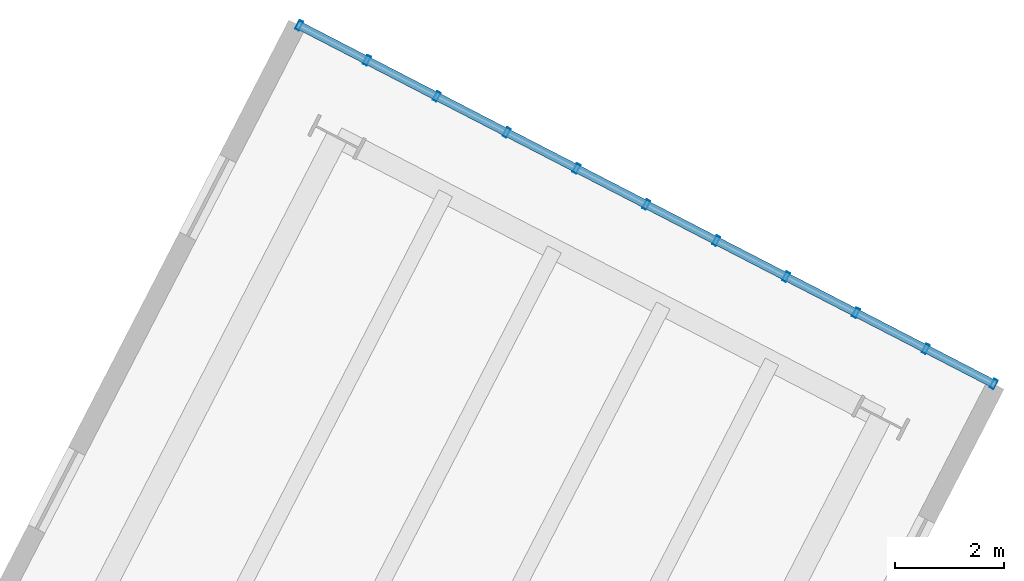
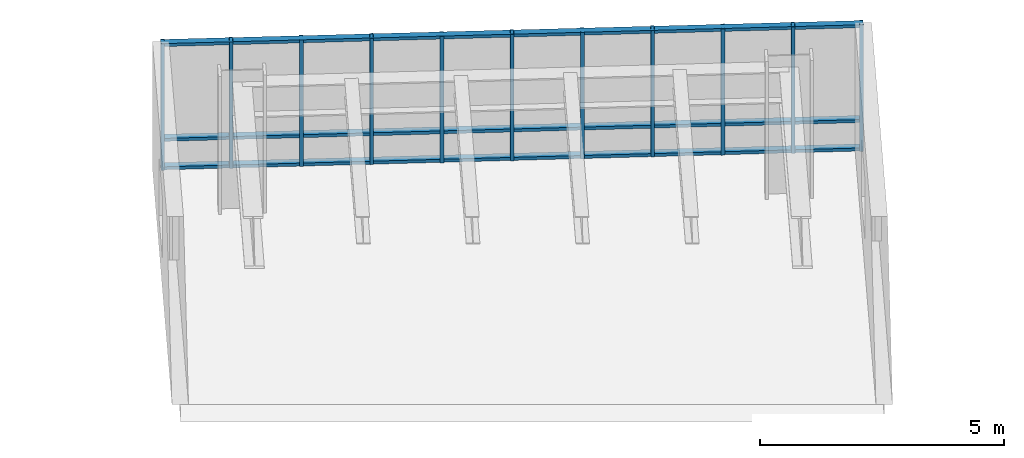
# One storey, part 3 of 10: 14 members, 1 element without a shape of its own.
"""IFC4 building model written with IfcOpenShell, lengths in metres."""

from ifc_helpers import new_model, si_unit, direction, frame, origin, origin_2d, place, context, subcontext, project, spatial, hollow_rectangle, extrude, material, layer, layer_set, material_profile, profile_set, type_object, element, aggregate, save


model = new_model("IFC4")

# Units and contexts
model_context = context("Model", 3, precision=1e-05, world=origin(), true_north=direction((0.0, 1.0)))
body_context = subcontext(model_context, "Body", "Model", "MODEL_VIEW")
ifc_project = project(units=[si_unit("LENGTHUNIT", "METRE"), si_unit("AREAUNIT", "SQUARE_METRE"), si_unit("VOLUMEUNIT", "CUBIC_METRE"), si_unit("PLANEANGLEUNIT", "RADIAN"), si_unit("MASSUNIT", "GRAM", prefix="KILO"), si_unit("THERMODYNAMICTEMPERATUREUNIT", "KELVIN"), si_unit("POWERUNIT", "WATT")], contexts=[model_context])

# Site, building, storey
site_placement = place(None, origin())
site = spatial("IfcSite", under=ifc_project, at=site_placement, CompositionType="ELEMENT")
building_placement = place(site_placement, origin())
building = spatial("IfcBuilding", under=site, at=building_placement, Name="Skarre Station Tower", CompositionType="ELEMENT")
storey_placement = place(building_placement, frame((0.0, 0.0, 111.89990234375)))
storey = spatial("IfcBuildingStorey", under=building, at=storey_placement, Name="L29", CompositionType="ELEMENT", Elevation=111.89990234375)

# Curtain wall, members
ifc_material_1 = material(Name="Thermally Broken Bronze-Anodized Aluminium & Triple Low-E Glass", Category="aluminium")
ifc_layer = layer(ifc_material_1, 0.2099609375, Name="Thermally Broken Bronze-Anodized Aluminium & Triple Low-E Glass")
ifc_layer_set = layer_set([ifc_layer], Name="Thermally Broken Bronze-Anodized Aluminium & Triple Low-E Glass")
curtain_wall_type = type_object("IfcCurtainWallType", Name="Sky-Bar Prow Structural Glazed Curtain Wall", PredefinedType="NOTDEFINED", material=ifc_layer_set)
curtain_wall_placement = place(storey_placement, origin())
curtain_wall = element("IfcCurtainWall", 1, at=curtain_wall_placement, inside=storey, type_object=curtain_wall_type, Name="L29 SB-2 Lakefront Prow Curtain Wall", PredefinedType="NOTDEFINED")
ifc_material_2 = material(Name="Anodized Aluminium 6063-T6", Category="aluminium")
ifc_material_profile_1 = material_profile(ifc_material_2, hollow_rectangle(XDim=0.074951171875, YDim=0.14990234375, WallThickness=0.00390625, at=origin_2d()), Name="Anodized Aluminium 6063-T6")
ifc_profile_set_1 = profile_set([ifc_material_profile_1], Name="Anodized Aluminium 6063-T6")
member_type_1 = type_object("IfcMemberType", Name="Curtain-Wall Secondary Transom 150x75", PredefinedType="USERDEFINED", material=ifc_profile_set_1)
member_1_placement = place(storey_placement, frame((48.833984375, 60.43310546875, 0.0400390625), z_axis=(0.888595468438, -0.458691719427, 0.0), x_axis=(0.0, 0.0, 1.0)))
member_1 = element("IfcMember", 2, at=member_1_placement, type_object=member_type_1, Name="L29 SB-2 Lakefront Prow Curtain Wall Transom 1", ObjectType="TRANSOM", PredefinedType="USERDEFINED", context=body_context, shape_type="SweptSolid", body=[
    extrude(hollow_rectangle(XDim=0.074951171875, YDim=0.14990234375, WallThickness=0.00390625, at=origin_2d()), origin(), (0.0, 0.0, 1.0), 14.400146484375),
])
member_2_placement = place(storey_placement, frame((48.833984375, 60.43310546875, 0.75), z_axis=(0.888595468438, -0.458691719427, 0.0), x_axis=(0.0, 0.0, 1.0)))
member_2 = element("IfcMember", 3, at=member_2_placement, type_object=member_type_1, Name="L29 SB-2 Lakefront Prow Curtain Wall Transom 2", ObjectType="TRANSOM", PredefinedType="USERDEFINED", context=body_context, shape_type="SweptSolid", body=[
    extrude(hollow_rectangle(XDim=0.074951171875, YDim=0.14990234375, WallThickness=0.00390625, at=origin_2d()), origin(), (0.0, 0.0, 1.0), 14.400146484375),
])
member_3_placement = place(storey_placement, frame((48.833984375, 60.43310546875, 3.1201171875), z_axis=(0.888595468438, -0.458691719427, 0.0), x_axis=(0.0, 0.0, 1.0)))
member_3 = element("IfcMember", 4, at=member_3_placement, type_object=member_type_1, Name="L29 SB-2 Lakefront Prow Curtain Wall Transom 3", ObjectType="TRANSOM", PredefinedType="USERDEFINED", context=body_context, shape_type="SweptSolid", body=[
    extrude(hollow_rectangle(XDim=0.074951171875, YDim=0.14990234375, WallThickness=0.00390625, at=origin_2d()), origin(), (0.0, 0.0, 1.0), 14.400146484375),
])
ifc_material_profile_2 = material_profile(ifc_material_2, hollow_rectangle(XDim=0.074951171875, YDim=0.179931640625, WallThickness=0.00390625, at=origin_2d()), Name="Anodized Aluminium 6063-T6")
ifc_profile_set_2 = profile_set([ifc_material_profile_2], Name="Anodized Aluminium 6063-T6")
member_type_2 = type_object("IfcMemberType", Name="Curtain-Wall Unitised Tower Mullion 180x75", PredefinedType="MULLION", material=ifc_profile_set_2)
member_4_placement = place(storey_placement, frame((48.8701171875, 60.4150390625, 0.0), z_axis=(0.0, 0.0, 1.0), x_axis=(0.888601222224, -0.458680572798, 0.0)))
member_4 = element("IfcMember", 5, at=member_4_placement, type_object=member_type_2, Name="L29 SB-2 Lakefront Prow Curtain Wall Mullion 1", PredefinedType="MULLION", context=body_context, shape_type="SweptSolid", body=[
    extrude(hollow_rectangle(XDim=0.074951171875, YDim=0.179931640625, WallThickness=0.00390625, at=origin_2d()), origin(), (0.0, 0.0, 1.0), 3.16015625),
])
member_5_placement = place(storey_placement, frame((50.114013671875, 59.77294921875, 0.0), z_axis=(0.0, 0.0, 1.0), x_axis=(0.888601222224, -0.458680572798, 0.0)))
member_5 = element("IfcMember", 6, at=member_5_placement, type_object=member_type_2, Name="L29 SB-2 Lakefront Prow Curtain Wall Mullion 2", PredefinedType="MULLION", context=body_context, shape_type="SweptSolid", body=[
    extrude(hollow_rectangle(XDim=0.074951171875, YDim=0.179931640625, WallThickness=0.00390625, at=origin_2d()), origin(), (0.0, 0.0, 1.0), 3.16015625),
])
member_6_placement = place(storey_placement, frame((51.39306640625, 59.112060546875, 0.0), z_axis=(0.0, 0.0, 1.0), x_axis=(0.888601222224, -0.458680572798, 0.0)))
member_6 = element("IfcMember", 7, at=member_6_placement, type_object=member_type_2, Name="L29 SB-2 Lakefront Prow Curtain Wall Mullion 3", PredefinedType="MULLION", context=body_context, shape_type="SweptSolid", body=[
    extrude(hollow_rectangle(XDim=0.074951171875, YDim=0.179931640625, WallThickness=0.00390625, at=origin_2d()), origin(), (0.0, 0.0, 1.0), 3.16015625),
])
member_7_placement = place(storey_placement, frame((52.673095703125, 58.451904296875, 0.0), z_axis=(0.0, 0.0, 1.0), x_axis=(0.888601222224, -0.458680572798, 0.0)))
member_7 = element("IfcMember", 8, at=member_7_placement, type_object=member_type_2, Name="L29 SB-2 Lakefront Prow Curtain Wall Mullion 4", PredefinedType="MULLION", context=body_context, shape_type="SweptSolid", body=[
    extrude(hollow_rectangle(XDim=0.074951171875, YDim=0.179931640625, WallThickness=0.00390625, at=origin_2d()), origin(), (0.0, 0.0, 1.0), 3.16015625),
])
member_8_placement = place(storey_placement, frame((53.951904296875, 57.791015625, 0.0), z_axis=(0.0, 0.0, 1.0), x_axis=(0.888601222224, -0.458680572798, 0.0)))
member_8 = element("IfcMember", 9, at=member_8_placement, type_object=member_type_2, Name="L29 SB-2 Lakefront Prow Curtain Wall Mullion 5", PredefinedType="MULLION", context=body_context, shape_type="SweptSolid", body=[
    extrude(hollow_rectangle(XDim=0.074951171875, YDim=0.179931640625, WallThickness=0.00390625, at=origin_2d()), origin(), (0.0, 0.0, 1.0), 3.16015625),
])
member_9_placement = place(storey_placement, frame((55.23193359375, 57.1298828125, 0.0), z_axis=(0.0, 0.0, 1.0), x_axis=(0.888601222224, -0.458680572798, 0.0)))
member_9 = element("IfcMember", 10, at=member_9_placement, type_object=member_type_2, Name="L29 SB-2 Lakefront Prow Curtain Wall Mullion 6", PredefinedType="MULLION", context=body_context, shape_type="SweptSolid", body=[
    extrude(hollow_rectangle(XDim=0.074951171875, YDim=0.179931640625, WallThickness=0.00390625, at=origin_2d()), origin(), (0.0, 0.0, 1.0), 3.16015625),
])
member_10_placement = place(storey_placement, frame((56.511962890625, 56.469970703125, 0.0), z_axis=(0.0, 0.0, 1.0), x_axis=(0.888601222224, -0.458680572798, 0.0)))
member_10 = element("IfcMember", 11, at=member_10_placement, type_object=member_type_2, Name="L29 SB-2 Lakefront Prow Curtain Wall Mullion 7", PredefinedType="MULLION", context=body_context, shape_type="SweptSolid", body=[
    extrude(hollow_rectangle(XDim=0.074951171875, YDim=0.179931640625, WallThickness=0.00390625, at=origin_2d()), origin(), (0.0, 0.0, 1.0), 3.16015625),
])
member_11_placement = place(storey_placement, frame((57.791015625, 55.80908203125, 0.0), z_axis=(0.0, 0.0, 1.0), x_axis=(0.888601222224, -0.458680572798, 0.0)))
member_11 = element("IfcMember", 12, at=member_11_placement, type_object=member_type_2, Name="L29 SB-2 Lakefront Prow Curtain Wall Mullion 8", PredefinedType="MULLION", context=body_context, shape_type="SweptSolid", body=[
    extrude(hollow_rectangle(XDim=0.074951171875, YDim=0.179931640625, WallThickness=0.00390625, at=origin_2d()), origin(), (0.0, 0.0, 1.0), 3.16015625),
])
member_12_placement = place(storey_placement, frame((59.071044921875, 55.14892578125, 0.0), z_axis=(0.0, 0.0, 1.0), x_axis=(0.888601222224, -0.458680572798, 0.0)))
member_12 = element("IfcMember", 13, at=member_12_placement, type_object=member_type_2, Name="L29 SB-2 Lakefront Prow Curtain Wall Mullion 9", PredefinedType="MULLION", context=body_context, shape_type="SweptSolid", body=[
    extrude(hollow_rectangle(XDim=0.074951171875, YDim=0.179931640625, WallThickness=0.00390625, at=origin_2d()), origin(), (0.0, 0.0, 1.0), 3.16015625),
])
member_13_placement = place(storey_placement, frame((60.35009765625, 54.489013671875, 0.0), z_axis=(0.0, 0.0, 1.0), x_axis=(0.888601222224, -0.458680572798, 0.0)))
member_13 = element("IfcMember", 14, at=member_13_placement, type_object=member_type_2, Name="L29 SB-2 Lakefront Prow Curtain Wall Mullion 10", PredefinedType="MULLION", context=body_context, shape_type="SweptSolid", body=[
    extrude(hollow_rectangle(XDim=0.074951171875, YDim=0.179931640625, WallThickness=0.00390625, at=origin_2d()), origin(), (0.0, 0.0, 1.0), 3.16015625),
])
member_14_placement = place(storey_placement, frame((61.593994140625, 53.845947265625, 0.0), z_axis=(0.0, 0.0, 1.0), x_axis=(0.888601222224, -0.458680572798, 0.0)))
member_14 = element("IfcMember", 15, at=member_14_placement, type_object=member_type_2, Name="L29 SB-2 Lakefront Prow Curtain Wall Mullion 11", PredefinedType="MULLION", context=body_context, shape_type="SweptSolid", body=[
    extrude(hollow_rectangle(XDim=0.074951171875, YDim=0.179931640625, WallThickness=0.00390625, at=origin_2d()), origin(), (0.0, 0.0, 1.0), 3.16015625),
])
aggregate(curtain_wall, [member_4, member_5, member_6, member_7, member_8, member_9, member_10, member_11, member_12, member_13, member_14, member_1, member_2, member_3])

save(model, "model.ifc")
